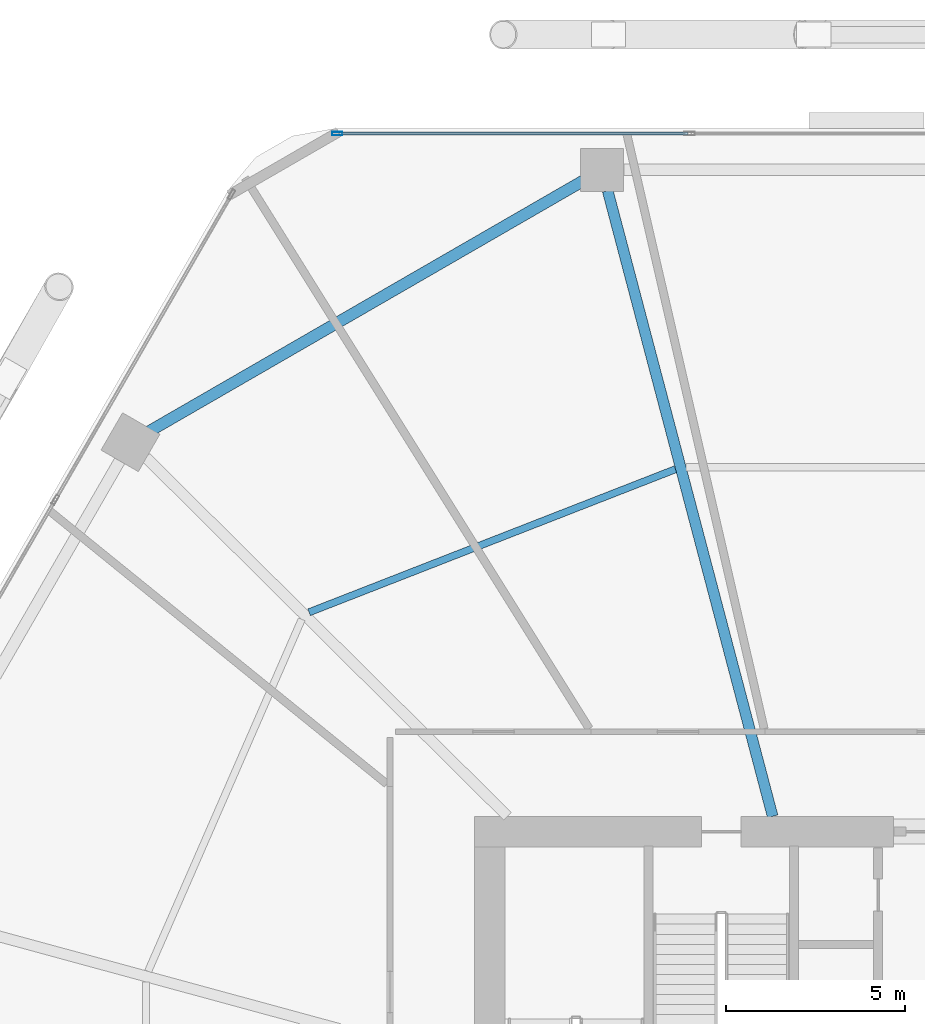
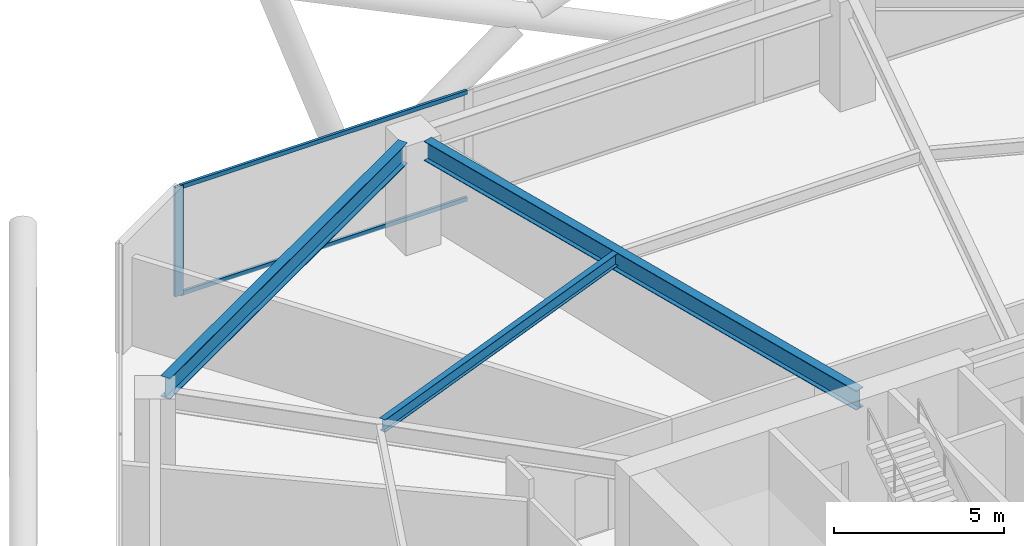
# One storey, part 16 of 30: 3 beams, 3 members, 1 element without a shape of its own.
"""IFC4 building model written with IfcOpenShell, lengths in metres."""

from ifc_helpers import new_model, si_unit, direction, frame, origin, origin_2d, place, context, subcontext, project, spatial, hollow_rectangle, i_section, extrude, material, material_profile, profile_set, type_object, element, aggregate, save


model = new_model("IFC4")

# Units and contexts
model_context = context("Model", 3, precision=1e-05, world=origin(), true_north=direction((0.0, 1.0)))
body_context = subcontext(model_context, "Body", "Model", "MODEL_VIEW")
ifc_project = project(units=[si_unit("LENGTHUNIT", "METRE"), si_unit("AREAUNIT", "SQUARE_METRE"), si_unit("VOLUMEUNIT", "CUBIC_METRE"), si_unit("PLANEANGLEUNIT", "RADIAN"), si_unit("MASSUNIT", "GRAM", prefix="KILO")], contexts=[model_context])

# Site, building, storey
site_placement = place(None, origin())
site = spatial("IfcSite", under=ifc_project, at=site_placement, CompositionType="ELEMENT")
building_placement = place(site_placement, origin())
building = spatial("IfcBuilding", under=site, at=building_placement, Name="Zuhravey Tower", CompositionType="ELEMENT")
storey_placement = place(building_placement, frame((0.0, 0.0, 33.0)))
storey = spatial("IfcBuildingStorey", under=building, at=storey_placement, Name="L08", CompositionType="ELEMENT", Elevation=33.0)

# Curtain wall, members
ifc_material_1 = material(Name="Thermally broken anodised aluminium", Category="aluminium")
curtain_wall_type = type_object("IfcCurtainWallType", Name="School Low-E Unitised Curtain Wall CW1", PredefinedType="NOTDEFINED", material=ifc_material_1)
curtain_wall_placement = place(storey_placement, origin())
curtain_wall = element("IfcCurtainWall", 1, at=curtain_wall_placement, inside=storey, type_object=curtain_wall_type, Name="L08 CW1 CW-L08-F2-1", PredefinedType="NOTDEFINED")
ifc_material_2 = material(Name="Anodised aluminium", Category="aluminium")
ifc_material_profile_1 = material_profile(ifc_material_2, hollow_rectangle(XDim=0.090087890625, YDim=0.284912109375, WallThickness=0.0048828125, at=origin_2d()), Name="ALU-RHS-90x285x5")
ifc_profile_set_1 = profile_set([ifc_material_profile_1], Name="Anodised aluminium")
member_type_1 = type_object("IfcMemberType", Name="Curtain-Wall Mullion 90x180", PredefinedType="MULLION", material=ifc_profile_set_1)
member_1_placement = place(storey_placement, frame((21.24560546875, 60.95849609375, 0.0), z_axis=(0.0, 0.0, 1.0), x_axis=(0.0, 1.0, 0.0)))
member_1 = element("IfcMember", 2, at=member_1_placement, type_object=member_type_1, Name="CW1 mullion 1", PredefinedType="MULLION", context=body_context, shape_type="SweptSolid", body=[
    extrude(hollow_rectangle(XDim=0.090087890625, YDim=0.284912109375, WallThickness=0.0048828125, at=origin_2d()), origin(), (0.0, 0.0, 1.0), 3.919921875),
])
ifc_material_profile_2 = material_profile(ifc_material_2, hollow_rectangle(XDim=0.090087890625, YDim=0.14990234375, WallThickness=0.0048828125, at=origin_2d()), Name="ALU-RHS-90x150x5")
ifc_profile_set_2 = profile_set([ifc_material_profile_2], Name="Anodised aluminium")
member_type_2 = type_object("IfcMemberType", Name="Curtain-Wall Transom 90x150", PredefinedType="USERDEFINED", material=ifc_profile_set_2)
member_2_placement = place(storey_placement, frame((21.29052734375, 60.95849609375, 0.044921875), z_axis=(1.0, 0.0, 0.0), x_axis=(0.0, 1.0, 0.0)))
member_2 = element("IfcMember", 3, at=member_2_placement, type_object=member_type_2, Name="CW1 transom 1.1", ObjectType="TRANSOM", PredefinedType="USERDEFINED", context=body_context, shape_type="SweptSolid", body=[
    extrude(hollow_rectangle(XDim=0.090087890625, YDim=0.14990234375, WallThickness=0.0048828125, at=origin_2d()), origin(), (0.0, 0.0, 1.0), 9.731201171875),
])
member_3_placement = place(storey_placement, frame((21.29052734375, 60.95849609375, 3.875), z_axis=(1.0, 0.0, 0.0), x_axis=(0.0, 1.0, 0.0)))
member_3 = element("IfcMember", 4, at=member_3_placement, type_object=member_type_2, Name="CW1 transom 1.2", ObjectType="TRANSOM", PredefinedType="USERDEFINED", context=body_context, shape_type="SweptSolid", body=[
    extrude(hollow_rectangle(XDim=0.090087890625, YDim=0.14990234375, WallThickness=0.0048828125, at=origin_2d()), origin(), (0.0, 0.0, 1.0), 9.731201171875),
])
aggregate(curtain_wall, [member_1, member_2, member_3])

# Beams
ifc_material_3 = material(Name="Steel SM355", Category="steel")
ifc_material_profile_3 = material_profile(ifc_material_3, i_section(OverallWidth=0.320068359375, OverallDepth=0.75, WebThickness=0.013916015625, FlangeThickness=0.02490234375, at=origin_2d()), Name="H-750x320x14x25")
ifc_profile_set_3 = profile_set([ifc_material_profile_3], Name="Steel SM355")
beam_type_1 = type_object("IfcBeamType", Name="Perimeter Ring Beam H750x320", PredefinedType="BEAM", material=ifc_profile_set_3)
beam_1_placement = place(storey_placement, frame((28.10791015625, 59.64697265625, 3.544921875), z_axis=(-0.866029969761, -0.499992091414, 0.0), x_axis=(0.499992091414, -0.866029969761, 0.0)))
element("IfcBeam", 5, at=beam_1_placement, inside=storey, type_object=beam_type_1, Name="L08 PB1 BM-L08-PB-04", PredefinedType="BEAM", context=body_context, shape_type="SweptSolid", body=[
    extrude(i_section(OverallWidth=0.320068359375, OverallDepth=0.75, WebThickness=0.013916015625, FlangeThickness=0.02490234375, at=origin_2d()), origin(), (0.0, 0.0, 1.0), 13.977294921875),
])
ifc_material_profile_4 = material_profile(ifc_material_3, i_section(OverallWidth=0.300048828125, OverallDepth=0.699951171875, WebThickness=0.012939453125, FlangeThickness=0.02392578125, at=origin_2d()), Name="H-700x300x13x24")
ifc_profile_set_4 = profile_set([ifc_material_profile_4], Name="Steel SM355")
beam_type_2 = type_object("IfcBeamType", Name="Radial Primary Girder H700x300", PredefinedType="BEAM", material=ifc_profile_set_4)
beam_2_placement = place(storey_placement, frame((33.382080078125, 41.927978515625, 3.570068359375), z_axis=(-0.254989720435, 0.966943763862, 0.0), x_axis=(-0.966943763862, -0.254989720435, 0.0)))
element("IfcBeam", 6, at=beam_2_placement, inside=storey, type_object=beam_type_2, Name="L08 RG1 BM-L08-RAD-04", PredefinedType="BEAM", context=body_context, shape_type="SweptSolid", body=[
    extrude(i_section(OverallWidth=0.300048828125, OverallDepth=0.699951171875, WebThickness=0.012939453125, FlangeThickness=0.02392578125, at=origin_2d()), origin(), (0.0, 0.0, 1.0), 18.03369140625),
])
ifc_material_profile_5 = material_profile(ifc_material_3, i_section(OverallWidth=0.199951171875, OverallDepth=0.449951171875, WebThickness=0.009033203125, FlangeThickness=0.013916015625, at=origin_2d()), Name="H-450x200x9x14")
ifc_profile_set_5 = profile_set([ifc_material_profile_5], Name="Steel SM355")
beam_type_3 = type_object("IfcBeamType", Name="Secondary Floor Joist H450x200", PredefinedType="JOIST", material=ifc_profile_set_5)
beam_3_placement = place(storey_placement, frame((30.67236328125, 51.60302734375, 3.695068359375), z_axis=(-0.931516535886, -0.363698973562, 0.0), x_axis=(0.363698973562, -0.931516535886, 0.0)))
element("IfcBeam", 7, at=beam_3_placement, inside=storey, type_object=beam_type_3, Name="L08 SJ1 BM-L08-SJ-04-1", PredefinedType="JOIST", context=body_context, shape_type="SweptSolid", body=[
    extrude(i_section(OverallWidth=0.199951171875, OverallDepth=0.449951171875, WebThickness=0.009033203125, FlangeThickness=0.013916015625, at=origin_2d()), origin(), (0.0, 0.0, 1.0), 10.963134765625),
])

save(model, "model.ifc")
